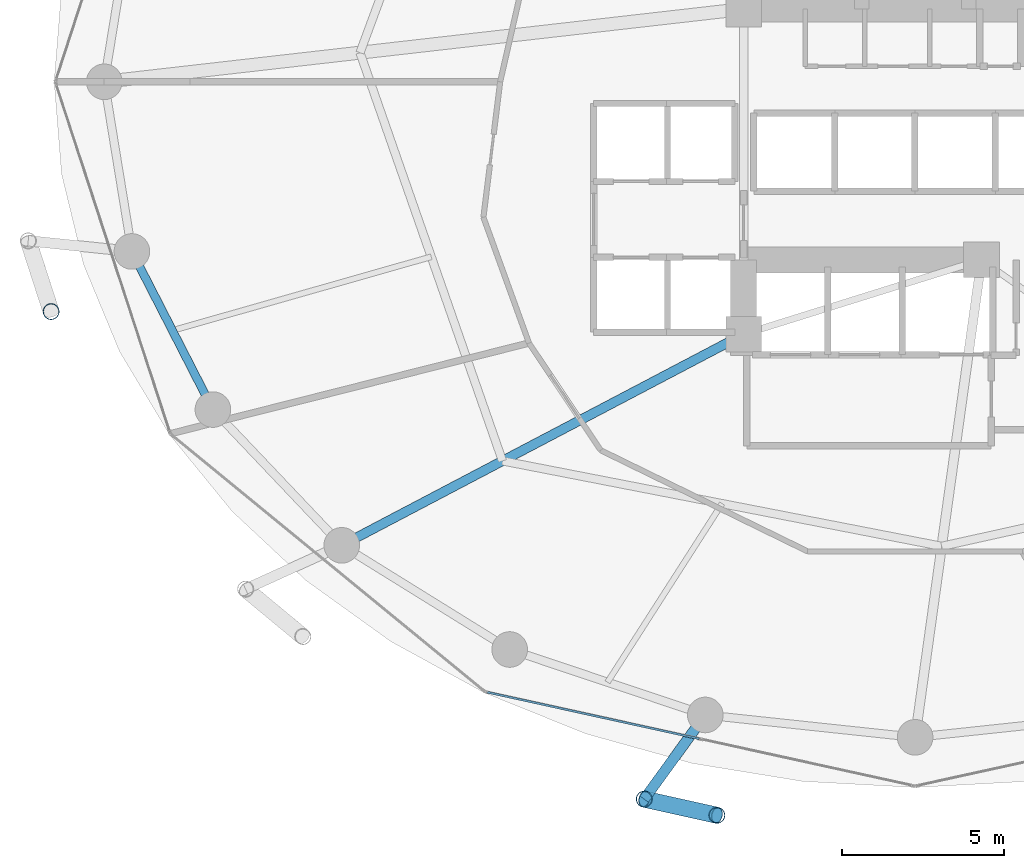
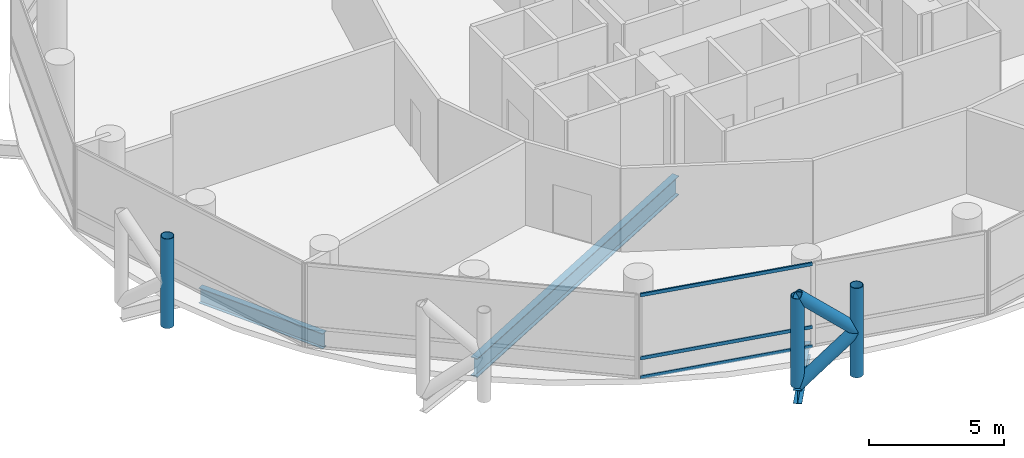
# One storey, part 3 of 24: 8 members, 3 beams, 1 element without a shape of its own.
"""IFC4 building model written with IfcOpenShell, lengths in metres."""

import ifcopenshell
import ifcopenshell.guid

model = None  # the IFC model being written
_history = None  # IfcOwnerHistory: only IFC2X3 demands one
_inside = {}  # id of a spatial element -> (the spatial element, [elements in it])
_under = {}  # id of a project, library or spatial element -> (it, [spatial elements below it])
_declared = {}  # id of a project -> (the project, [libraries it declares])
_typed = {}  # id of a type object -> (the type object, [elements of that type])
_made_of = {}  # id of a material, layer set ... -> (it, [elements and type objects made of it])


def new_model(schema):
    """Start an empty IFC model of exactly this schema.

    Asked for "IFC4X3", IfcOpenShell would pick the latest addendum, in which some entities
    have other attributes; the version numbers below select the first issue.
    IFC2X3 requires an IfcOwnerHistory on every rooted entity: one is made here for all.
    """
    global model, _history
    if schema == "IFC4X3":
        model = ifcopenshell.file(schema_version=(4, 3, 0, 0))
    else:
        model = ifcopenshell.file(schema=schema)
    _inside.clear()
    _under.clear()
    _declared.clear()
    _typed.clear()
    _made_of.clear()
    _history = None
    if model.schema == "IFC2X3":
        org = make("IfcOrganization", Name="unknown")
        user = make(
            "IfcPersonAndOrganization",
            ThePerson=make("IfcPerson", FamilyName="unknown"),
            TheOrganization=org,
        )
        app = make(
            "IfcApplication",
            ApplicationDeveloper=org,
            Version="unknown",
            ApplicationFullName="unknown",
            ApplicationIdentifier="unknown",
        )
        _history = make(
            "IfcOwnerHistory",
            OwningUser=user,
            OwningApplication=app,
            ChangeAction="ADDED",
            CreationDate=0,
        )
    return model


def make(cls, **values):
    """One entity of the class cls with the attributes given. An attribute that is None is left unset."""
    return model.create_entity(
        cls, **{name: value for name, value in values.items() if value is not None}
    )


def rooted(cls, **values):
    """An entity with a GlobalId (a new one), such as an element, a storey or a relation."""
    return make(cls, GlobalId=ifcopenshell.guid.new(), OwnerHistory=_history, **values)


def si_unit(unit_type, name, prefix=None):
    """IfcSIUnit, for example si_unit("LENGTHUNIT", "METRE", prefix="MILLI")."""
    return make("IfcSIUnit", UnitType=unit_type, Prefix=prefix, Name=name)


def assignment(units):
    """IfcUnitAssignment: the units of a project."""
    return None if units is None else make("IfcUnitAssignment", Units=units)


def point(xyz):
    """IfcCartesianPoint."""
    return None if xyz is None else make("IfcCartesianPoint", Coordinates=xyz)


def direction(xyz):
    """IfcDirection."""
    return None if xyz is None else make("IfcDirection", DirectionRatios=xyz)


def frame(location, z_axis=None, x_axis=None):
    """IfcAxis2Placement3D, a coordinate frame: its origin and axes. An axis left out is left unset."""
    return make(
        "IfcAxis2Placement3D",
        Location=point(location),
        Axis=direction(z_axis),
        RefDirection=direction(x_axis),
    )


def frame_2d(location, x_axis=None):
    """IfcAxis2Placement2D, a coordinate frame in the plane: its origin and x axis."""
    return make(
        "IfcAxis2Placement2D", Location=point(location), RefDirection=direction(x_axis)
    )


def origin():
    """The frame at (0, 0, 0) with its axes left unset."""
    return frame((0.0, 0.0, 0.0))


def origin_2d():
    """The frame at (0, 0) in the plane with its x axis left unset."""
    return frame_2d((0.0, 0.0))


def place(relative_to, where):
    """IfcLocalPlacement: puts the frame where relative to a parent placement (None: the world)."""
    return make(
        "IfcLocalPlacement", PlacementRelTo=relative_to, RelativePlacement=where
    )


def context(
    kind, dimensions, precision=None, world=None, true_north=None, identifier=None
):
    """IfcGeometricRepresentationContext, for example the 3D "Model" context."""
    return make(
        "IfcGeometricRepresentationContext",
        ContextIdentifier=identifier,
        ContextType=kind,
        CoordinateSpaceDimension=dimensions,
        Precision=precision,
        WorldCoordinateSystem=world,
        TrueNorth=true_north,
    )


def subcontext(parent, identifier, kind, view, scale=None):
    """IfcGeometricRepresentationSubContext, for example "Body" below "Model"."""
    return make(
        "IfcGeometricRepresentationSubContext",
        ContextIdentifier=identifier,
        ContextType=kind,
        ParentContext=parent,
        TargetScale=scale,
        TargetView=view,
    )


def project(units=None, contexts=None):
    """IfcProject with its units and contexts."""
    return rooted(
        "IfcProject",
        Name="project",
        RepresentationContexts=contexts,
        UnitsInContext=assignment(units),
    )


def spatial(cls, under=None, at=None, **own):
    """A site, building, storey or space (cls), placed at a placement, below another one or the project."""
    s = rooted(cls, ObjectPlacement=at, **own)
    if under is not None:
        _under.setdefault(under.id(), (under, []))[1].append(s)
    return s


def profile(cls, at=None, kind="AREA", **sizes):
    """A parametric profile (cls). Its sizes go by their IFC names, for example OverallWidth=200.0."""
    return make(cls, ProfileType=kind, Position=at, **sizes)


def hollow_rectangle(**sizes):
    """IfcRectangleHollowProfileDef."""
    return profile("IfcRectangleHollowProfileDef", **sizes)


def hollow_circle(**sizes):
    """IfcCircleHollowProfileDef."""
    return profile("IfcCircleHollowProfileDef", **sizes)


def i_section(**sizes):
    """IfcIShapeProfileDef."""
    return profile("IfcIShapeProfileDef", **sizes)


def extrude(swept, where, along, depth):
    """IfcExtrudedAreaSolid: the profile swept, set in the frame where, extruded along a direction by depth."""
    return make(
        "IfcExtrudedAreaSolid",
        SweptArea=swept,
        Position=where,
        ExtrudedDirection=direction(along),
        Depth=depth,
    )


def shape(context_of_items, identifier, shape_type, items):
    """IfcShapeRepresentation: the items that make up one representation, for example the "Body"."""
    return make(
        "IfcShapeRepresentation",
        ContextOfItems=context_of_items,
        RepresentationIdentifier=identifier,
        RepresentationType=shape_type,
        Items=items,
    )


def material(Name=None, Category=None):
    """IfcMaterial."""
    return make("IfcMaterial", Name=Name, Category=Category)


def layer(
    of_material, thickness, ventilated=None, Name=None, Category=None, Priority=None
):
    """IfcMaterialLayer: one layer of a wall or slab, of a material (None: an air gap)."""
    return make(
        "IfcMaterialLayer",
        Material=of_material,
        LayerThickness=thickness,
        IsVentilated=ventilated,
        Name=Name,
        Category=Category,
        Priority=Priority,
    )


def layer_set(layers, Name=None):
    """IfcMaterialLayerSet."""
    return make("IfcMaterialLayerSet", MaterialLayers=layers, LayerSetName=Name)


def material_profile(
    of_material, cross_section, Name=None, Category=None, Priority=None
):
    """IfcMaterialProfile: a cross section and its material."""
    return make(
        "IfcMaterialProfile",
        Name=Name,
        Material=of_material,
        Profile=cross_section,
        Priority=Priority,
        Category=Category,
    )


def profile_set(profiles, Name=None, composite=None):
    """IfcMaterialProfileSet."""
    return make(
        "IfcMaterialProfileSet",
        Name=Name,
        MaterialProfiles=profiles,
        CompositeProfile=composite,
    )


def made_of(thing, what):
    """Note that an element or type object is made of a material, layer set ...; save() writes the relation."""
    if what is not None:
        _made_of.setdefault(what.id(), (what, []))[1].append(thing)
    return thing


def type_object(cls, material=None, **own):
    """A type object (cls), such as IfcWallType, which elements share."""
    return made_of(rooted(cls, **own), material)


def element(
    cls,
    number,
    at=None,
    inside=None,
    cuts=None,
    type_object=None,
    material=None,
    context=None,
    identifier="Body",
    shape_type=None,
    held_by="IfcProductDefinitionShape",
    body=None,
    shapes=None,
    **own,
):
    """One element of the class cls, such as IfcWall. Its Tag is "e" and its number.

    at: its placement. inside: the storey or other place that contains it. cuts: it is an
    opening in that element (IfcRelVoidsElement). A single representation is given by context,
    identifier, shape_type and body (its items); several are given by shapes. held_by: the class
    of the entity that holds the representations. save() writes the other relations.
    """
    e = rooted(cls, Tag="e%d" % number, ObjectPlacement=at, **own)
    if body is not None:
        shapes = [shape(context, identifier, shape_type, body)]
    if shapes is not None:
        e.Representation = make(held_by, Representations=shapes)
    if inside is not None:
        _inside.setdefault(inside.id(), (inside, []))[1].append(e)
    if cuts is not None:
        rooted(
            "IfcRelVoidsElement", RelatingBuildingElement=cuts, RelatedOpeningElement=e
        )
    if type_object is not None:
        _typed.setdefault(type_object.id(), (type_object, []))[1].append(e)
    return made_of(e, material)


def aggregate(whole, parts):
    """IfcRelAggregates: a whole, such as a stair, and the parts it consists of."""
    return rooted("IfcRelAggregates", RelatingObject=whole, RelatedObjects=parts)


def save(model, path):
    """Write the relations noted so far, then the file.

    IfcRelAggregates (storeys below a building ...), IfcRelContainedInSpatialStructure (elements
    in a storey), IfcRelDefinesByType, IfcRelAssociatesMaterial and IfcRelDeclares: one each for
    every whole, place, type object, material and project.
    """
    for whole, parts in _under.values():
        aggregate(whole, parts)
    for where, things in _inside.values():
        rooted(
            "IfcRelContainedInSpatialStructure",
            RelatedElements=things,
            RelatingStructure=where,
        )
    for kind, things in _typed.values():
        rooted("IfcRelDefinesByType", RelatedObjects=things, RelatingType=kind)
    for what, things in _made_of.values():
        rooted("IfcRelAssociatesMaterial", RelatedObjects=things, RelatingMaterial=what)
    for by, libraries in _declared.values():
        rooted("IfcRelDeclares", RelatingContext=by, RelatedDefinitions=libraries)
    model.write(path)


model = new_model("IFC4")

# Units and contexts
model_context = context("Model", 3, precision=1e-05, world=origin(), true_north=direction((0.0, 1.0)))
body_context = subcontext(model_context, "Body", "Model", "MODEL_VIEW")
ifc_project = project(units=[si_unit("LENGTHUNIT", "METRE"), si_unit("AREAUNIT", "SQUARE_METRE"), si_unit("VOLUMEUNIT", "CUBIC_METRE"), si_unit("PLANEANGLEUNIT", "RADIAN"), si_unit("MASSUNIT", "GRAM", prefix="KILO")], contexts=[model_context])

# Site, building, storey
site_placement = place(None, origin())
site = spatial("IfcSite", under=ifc_project, at=site_placement, CompositionType="ELEMENT")
building_placement = place(site_placement, origin())
building = spatial("IfcBuilding", under=site, at=building_placement, Name="Nuhasar Tower", CompositionType="ELEMENT")
storey_placement = place(building_placement, frame((0.0, 0.0, 25.050048828125)))
storey = spatial("IfcBuildingStorey", under=building, at=storey_placement, Name="L05", CompositionType="ELEMENT", Elevation=25.050048828125)

# Beams
ifc_material_1 = material(Name="Steel S355", Category="steel")
ifc_material_profile_1 = material_profile(ifc_material_1, i_section(OverallWidth=0.2919921875, OverallDepth=0.85888671875, WebThickness=0.01708984375, FlangeThickness=0.031005859375, at=origin_2d()), Name="W33X169")
ifc_profile_set_1 = profile_set([ifc_material_profile_1], Name="Steel S355")
beam_type_1 = type_object("IfcBeamType", Name="BM-POD-W33X169", PredefinedType="BEAM", material=ifc_profile_set_1)
beam_1_placement = place(storey_placement, frame((33.699951171875, 19.0, -0.68994140625), z_axis=(-0.885330348705, -0.464962550816, 0.0), x_axis=(0.464962550816, -0.885330348705, 0.0)))
element("IfcBeam", 1, at=beam_1_placement, inside=storey, type_object=beam_type_1, Name="L05 Radial Floor Girder 01", PredefinedType="BEAM", context=body_context, shape_type="SweptSolid", body=[
    extrude(i_section(OverallWidth=0.2919921875, OverallDepth=0.85888671875, WebThickness=0.01708984375, FlangeThickness=0.031005859375, at=origin_2d()), origin(), (0.0, 0.0, 1.0), 14.0205078125),
])
ifc_material_profile_2 = material_profile(ifc_material_1, i_section(OverallWidth=0.256103515625, OverallDepth=0.693115234375, WebThickness=0.014404296875, FlangeThickness=0.023681640625, at=origin_2d()), Name="W27X114")
ifc_profile_set_2 = profile_set([ifc_material_profile_2], Name="Steel S355")
beam_type_2 = type_object("IfcBeamType", Name="BM-RING-W27X114", PredefinedType="SPANDREL", material=ifc_profile_set_2)
beam_2_placement = place(storey_placement, frame((14.803955078125, 21.55908203125, -0.60595703125), z_axis=(0.455930023905, -0.890015625314, 0.0), x_axis=(0.890015625314, 0.455930023905, 0.0)))
element("IfcBeam", 2, at=beam_2_placement, inside=storey, type_object=beam_type_2, Name="L05 Perimeter Ring Spandrel 14", PredefinedType="SPANDREL", context=body_context, shape_type="SweptSolid", body=[
    extrude(i_section(OverallWidth=0.256103515625, OverallDepth=0.693115234375, WebThickness=0.014404296875, FlangeThickness=0.023681640625, at=origin_2d()), origin(), (0.0, 0.0, 1.0), 5.487548828125),
])
ifc_material_profile_3 = material_profile(ifc_material_1, i_section(OverallWidth=0.323974609375, OverallDepth=0.611083984375, WebThickness=0.0126953125, FlangeThickness=0.01904296875, at=origin_2d()), Name="W24X104")
ifc_profile_set_3 = profile_set([ifc_material_profile_3], Name="Steel S355")
beam_type_3 = type_object("IfcBeamType", Name="BM-TIE-W24X104", PredefinedType="BEAM", material=ifc_profile_set_3)
beam_3_placement = place(storey_placement, frame((32.51708984375, 7.239990234375, -0.56494140625), z_axis=(-0.587403316448, -0.809294349311, 0.0), x_axis=(0.809294349311, -0.587403316448, 0.0)))
element("IfcBeam", 3, at=beam_3_placement, inside=storey, type_object=beam_type_3, Name="L05 Exoskeleton Node Tie Beam 09", PredefinedType="BEAM", context=body_context, shape_type="SweptSolid", body=[
    extrude(i_section(OverallWidth=0.323974609375, OverallDepth=0.611083984375, WebThickness=0.0126953125, FlangeThickness=0.01904296875, at=origin_2d()), origin(), (0.0, 0.0, 1.0), 3.212890625),
])

# Curtain wall, members
ifc_material_2 = material(Name="Aluminium 6063-T6", Category="aluminium")
ifc_layer = layer(ifc_material_2, 0.199951171875)
ifc_layer_set = layer_set([ifc_layer], Name="Aluminium 6063-T6")
curtain_wall_type = type_object("IfcCurtainWallType", Name="CW-Z1-OFF", PredefinedType="NOTDEFINED", material=ifc_layer_set)
curtain_wall_placement = place(storey_placement, origin())
curtain_wall = element("IfcCurtainWall", 4, at=curtain_wall_placement, inside=storey, type_object=curtain_wall_type, Name="L05 Unitised Curtain Wall 09", PredefinedType="NOTDEFINED")
ifc_material_profile_4 = material_profile(ifc_material_2, hollow_rectangle(XDim=0.06494140625, YDim=0.14990234375, WallThickness=0.00439453125, at=origin_2d()), Name="CWT-2")
ifc_profile_set_4 = profile_set([ifc_material_profile_4], Name="Aluminium 6063-T6")
member_type_1 = type_object("IfcMemberType", Name="CW-TRN-S2", PredefinedType="USERDEFINED", material=ifc_profile_set_4)
member_1_placement = place(storey_placement, frame((25.783447265625, 7.941162109375, 0.032470703125), z_axis=(0.976741923778, -0.214418316228, 0.0), x_axis=(0.214418316228, 0.976741923778, 0.0)))
member_1 = element("IfcMember", 5, at=member_1_placement, type_object=member_type_1, Name="CW-Z1 transom 1.1", ObjectType="TRANSOM", PredefinedType="USERDEFINED", context=body_context, shape_type="SweptSolid", body=[
    extrude(hollow_rectangle(XDim=0.06494140625, YDim=0.14990234375, WallThickness=0.00439453125, at=origin_2d()), origin(), (0.0, 0.0, 1.0), 6.70068359375),
])
member_2_placement = place(storey_placement, frame((25.783447265625, 7.941162109375, 0.89990234375), z_axis=(0.976741923778, -0.214418316228, 0.0), x_axis=(0.214418316228, 0.976741923778, 0.0)))
member_2 = element("IfcMember", 6, at=member_2_placement, type_object=member_type_1, Name="CW-Z1 transom 1.2", ObjectType="TRANSOM", PredefinedType="USERDEFINED", context=body_context, shape_type="SweptSolid", body=[
    extrude(hollow_rectangle(XDim=0.06494140625, YDim=0.14990234375, WallThickness=0.00439453125, at=origin_2d()), origin(), (0.0, 0.0, 1.0), 6.70068359375),
])
member_3_placement = place(storey_placement, frame((25.783447265625, 7.941162109375, 3.757568359375), z_axis=(0.976741923778, -0.214418316228, 0.0), x_axis=(0.214418316228, 0.976741923778, 0.0)))
member_3 = element("IfcMember", 7, at=member_3_placement, type_object=member_type_1, Name="CW-Z1 transom 1.3", ObjectType="TRANSOM", PredefinedType="USERDEFINED", context=body_context, shape_type="SweptSolid", body=[
    extrude(hollow_rectangle(XDim=0.06494140625, YDim=0.14990234375, WallThickness=0.00439453125, at=origin_2d()), origin(), (0.0, 0.0, 1.0), 6.70068359375),
])
aggregate(curtain_wall, [member_1, member_2, member_3])

# Members
ifc_material_3 = material(Name="Steel S460", Category="steel")
ifc_material_profile_5 = material_profile(ifc_material_3, hollow_circle(Radius=0.25390625, WallThickness=0.025390625, at=origin_2d()), Name="HSS508X25.4")
ifc_profile_set_5 = profile_set([ifc_material_profile_5], Name="Steel S460")
member_type_2 = type_object("IfcMemberType", Name="EXO-BRONZE-508", PredefinedType="BRACE", material=ifc_profile_set_5)
for number, where, z_axis, x_axis, name in (
    (8, (12.30810546875, 19.700927734375, 0.0), (0.0, 0.0, 1.0), (1.0, 0.0, 0.0), "L05 Exoskeleton Chord Column EC-07B"),
    (9, (30.6298828125, 4.639892578125, 0.0), (0.0, 0.0, 1.0), (1.0, 0.0, 0.0), "L05 Exoskeleton Chord Column EC-09A"),
    (10, (32.8759765625, 4.14111328125, 0.0), (0.0, 0.0, 1.0), (1.0, 0.0, 0.0), "L05 Exoskeleton Chord Column EC-09B"),
):
    element("IfcMember", number, at=place(storey_placement, frame(where, z_axis=z_axis, x_axis=x_axis)), inside=storey, type_object=member_type_2, Name=name, PredefinedType="BRACE", context=body_context, shape_type="SweptSolid", body=[
        extrude(hollow_circle(Radius=0.25390625, WallThickness=0.025390625, at=origin_2d()), origin(), (0.0, 0.0, 1.0), 4.050048828125),
    ])
member_4_placement = place(storey_placement, frame((30.6298828125, 4.639892578125, 0.0), z_axis=(0.732830973624, -0.162736269469, 0.66066305383), x_axis=(0.216784396973, 0.976219506683, 0.0)))
element("IfcMember", 11, at=member_4_placement, inside=storey, type_object=member_type_2, Name="L05 Bronze Diagrid Brace W1-09", PredefinedType="BRACE", context=body_context, shape_type="SweptSolid", body=[
    extrude(hollow_circle(Radius=0.25390625, WallThickness=0.025390625, at=origin_2d()), origin(), (0.0, 0.0, 1.0), 3.06494140625),
])
member_5_placement = place(storey_placement, frame((32.8759765625, 4.14111328125, 2.02490234375), z_axis=(-0.732792408767, 0.162727705556, 0.660707938122), x_axis=(-0.216784396973, -0.976219506683, 0.0)))
element("IfcMember", 12, at=member_5_placement, inside=storey, type_object=member_type_2, Name="L05 Bronze Diagrid Brace W2-09", PredefinedType="BRACE", context=body_context, shape_type="SweptSolid", body=[
    extrude(hollow_circle(Radius=0.25390625, WallThickness=0.025390625, at=origin_2d()), origin(), (0.0, 0.0, 1.0), 3.065185546875),
])

save(model, "model.ifc")
